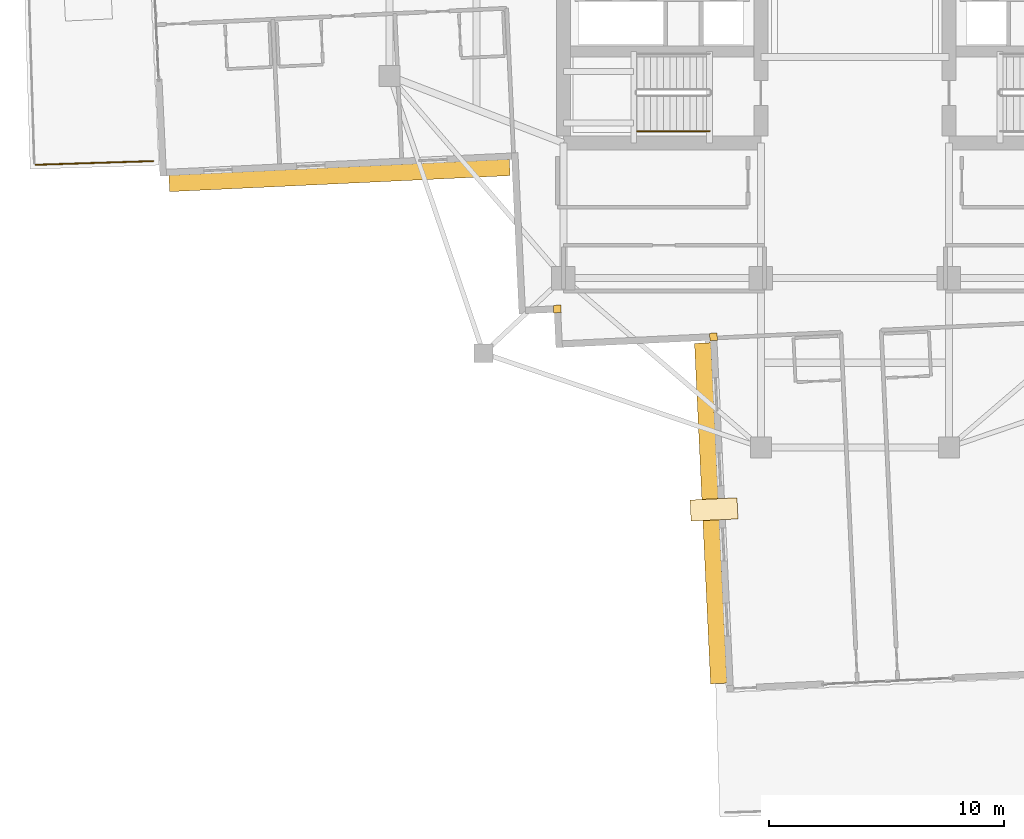
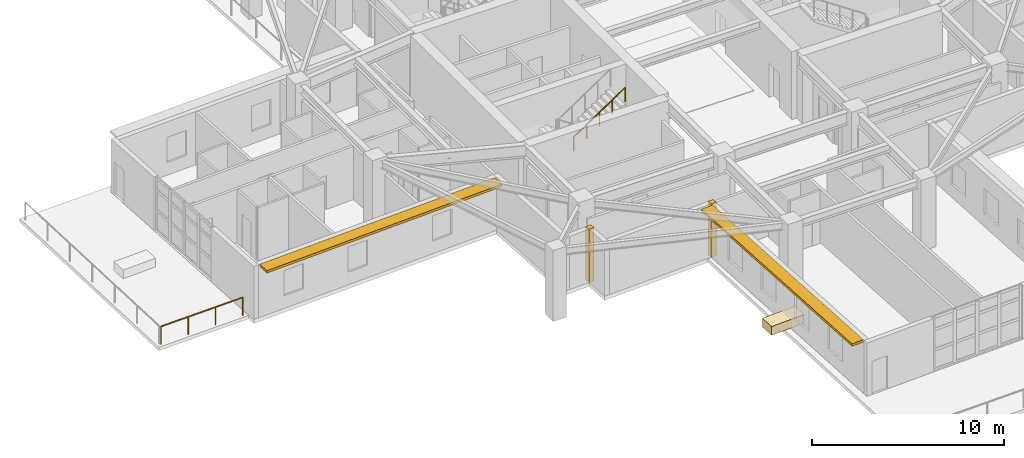
# One storey, part 18 of 22: 3 coverings, 2 railings, 2 shading devices.
"""IFC4 building model written with IfcOpenShell, lengths in metres."""

from ifc_helpers import new_model, si_unit, direction, frame, origin, origin_2d, place, context, subcontext, project, spatial, rectangle, circle, extrude, material, layer, layer_set, type_object, element, save


model = new_model("IFC4")

# Units and contexts
model_context = context("Model", 3, precision=1e-05, world=origin(), true_north=direction((0.0, 1.0)))
body_context = subcontext(model_context, "Body", "Model", "MODEL_VIEW")
ifc_project = project(units=[si_unit("LENGTHUNIT", "METRE"), si_unit("AREAUNIT", "SQUARE_METRE"), si_unit("VOLUMEUNIT", "CUBIC_METRE"), si_unit("PLANEANGLEUNIT", "RADIAN"), si_unit("MASSUNIT", "GRAM", prefix="KILO")], contexts=[model_context])

# Site, building, storey
site_placement = place(None, origin())
site = spatial("IfcSite", under=ifc_project, at=site_placement, CompositionType="ELEMENT")
building_placement = place(site_placement, origin())
building = spatial("IfcBuilding", under=site, at=building_placement, Name="Qingluan Cross Belvedere", CompositionType="ELEMENT")
storey_placement = place(building_placement, frame((0.0, 0.0, 196.800048828125)))
storey = spatial("IfcBuildingStorey", under=building, at=storey_placement, Name="L49", CompositionType="ELEMENT", Elevation=196.800048828125)

# Coverings
ifc_material_1 = material(Name="Precast concrete C45", Category="concrete")
ifc_layer_1 = layer(ifc_material_1, 0.1201171875, Name="ConcreteSpandrelCladding_120")
ifc_layer_set_1 = layer_set([ifc_layer_1], Name="Precast concrete C45")
covering_type_1 = type_object("IfcCoveringType", Name="ConcreteSpandrelCladding_120", PredefinedType="CLADDING", material=ifc_layer_set_1)
for number, where, z_axis, x_axis, name in (
    (1, (-12.65869140625, -13.911865234375, 0.0), (0.0, 0.0, 1.0), (0.998889874962, 0.04710645071, 0.0), "Corner closure L49-SW1"),
    (2, (-6.015380859375, -15.10009765625, 0.0), (0.0, 0.0, 1.0), (0.998889874962, 0.04710645071, 0.0), "Corner closure L49-SW2"),
):
    element("IfcCovering", number, at=place(storey_placement, frame(where, z_axis=z_axis, x_axis=x_axis)), inside=storey, type_object=covering_type_1, Name=name, PredefinedType="CLADDING", context=body_context, shape_type="SweptSolid", body=[
        extrude(rectangle(XDim=0.320068359375, YDim=0.320068359375, at=origin_2d()), origin(), (0.0, 0.0, 1.0), 3.3798828125),
    ])

# Shading devices
ifc_material_2 = material(Name="Precast concrete C45", Category="concrete")
ifc_layer_2 = layer(ifc_material_2, 0.139892578125, Name="ConcreteSunshadeBand_700")
ifc_layer_set_2 = layer_set([ifc_layer_2], Name="Precast concrete C45")
shading_device_type = type_object("IfcShadingDeviceType", Name="ConcreteSunshadeBand_700", PredefinedType="USERDEFINED", material=ifc_layer_set_2)
for number, where, z_axis, x_axis, name in (
    (3, (-21.926513671875, -8.23193359375, 3.2001953125), (0.0, 0.0, 1.0), (0.998889750114, 0.047109098032, 0.0), "Concrete SUNSHADE L49-WB"),
    (4, (-6.132080078125, -22.60400390625, 3.2001953125), (0.0, 0.0, 1.0), (0.047108777928, -0.99888976521, 0.0), "Concrete SUNSHADE L49-SA"),
):
    element("IfcShadingDevice", number, at=place(storey_placement, frame(where, z_axis=z_axis, x_axis=x_axis)), inside=storey, type_object=shading_device_type, Name=name, ObjectType="SUNSHADE", PredefinedType="USERDEFINED", context=body_context, shape_type="SweptSolid", body=[
        extrude(rectangle(XDim=14.5, YDim=0.699951171875, at=origin_2d()), origin(), (0.0, 0.0, 1.0), 0.159912109375),
    ])

# Railings
ifc_material_3 = material(Name="Brushed stainless steel tubular handrail", Category="steel")
railing_type_1 = type_object("IfcRailingType", Name="StairPitchHandrail_900", PredefinedType="HANDRAIL", material=ifc_material_3)
railing_1_placement = place(storey_placement, frame((-9.260009765625, -6.35009765625, 2.4375)))
element("IfcRailing", 5, at=railing_1_placement, inside=storey, type_object=railing_type_1, Name="L49 ST1 stair handrail 2", PredefinedType="HANDRAIL", context=body_context, shape_type="SweptSolid", body=[
    extrude(circle(Radius=0.02392578125, at=origin_2d()), frame((0.0, 0.0, 0.8759765625), z_axis=(0.830913701846, 0.0, 0.55640131208), x_axis=(0.0, 1.0, 0.0)), (0.0, 0.0, 1.0), 3.706787109375),
    extrude(circle(Radius=0.02099609375, at=origin_2d()), origin(), (0.0, 0.0, 1.0), 0.851806640625),
    extrude(circle(Radius=0.02099609375, at=origin_2d()), frame((0.77001953125, 0.0, 0.515625)), (0.0, 0.0, 1.0), 0.851806640625),
    extrude(circle(Radius=0.02099609375, at=origin_2d()), frame((1.5400390625, 0.0, 1.03125)), (0.0, 0.0, 1.0), 0.851806640625),
    extrude(circle(Radius=0.02099609375, at=origin_2d()), frame((2.31005859375, 0.0, 1.546875)), (0.0, 0.0, 1.0), 0.851806640625),
    extrude(circle(Radius=0.02099609375, at=origin_2d()), frame((3.080078125, 0.0, 2.0625)), (0.0, 0.0, 1.0), 0.851806640625),
])
ifc_material_4 = material(Name="Laminated glass and stainless steel balustrade", Category="steel")
railing_type_2 = type_object("IfcRailingType", Name="TerraceGuardBalustrade_1150", PredefinedType="BALUSTRADE", material=ifc_material_4)
railing_2_placement = place(storey_placement, frame((-29.85400390625, -7.62158203125, 0.0)))
element("IfcRailing", 6, at=railing_2_placement, inside=storey, type_object=railing_type_2, Name="Terrace guard L49-2", PredefinedType="BALUSTRADE", context=body_context, shape_type="SweptSolid", body=[
    extrude(circle(Radius=0.02392578125, at=origin_2d()), frame((0.0, 0.0, 1.1259765625), z_axis=(-0.999507254075, -0.031388677137, 0.0), x_axis=(0.031388677137, -0.999507254075, 0.0)), (0.0, 0.0, 1.0), 5.001220703125),
    extrude(circle(Radius=0.02099609375, at=origin_2d()), origin(), (0.0, 0.0, 1.0), 1.101806640625),
    extrude(circle(Radius=0.02099609375, at=origin_2d()), frame((-1.666259765625, -0.05224609375, 0.0)), (0.0, 0.0, 1.0), 1.101806640625),
    extrude(circle(Radius=0.02099609375, at=origin_2d()), frame((-3.33251953125, -0.104736328125, 0.0)), (0.0, 0.0, 1.0), 1.101806640625),
    extrude(circle(Radius=0.02099609375, at=origin_2d()), frame((-4.998779296875, -0.156982421875, 0.0)), (0.0, 0.0, 1.0), 1.101806640625),
])

# Covering
ifc_material_5 = material(Name="Precast concrete C40", Category="concrete")
ifc_layer_3 = layer(ifc_material_5, 0.550048828125, Name="TerracePlanterBox")
ifc_layer_set_3 = layer_set([ifc_layer_3], Name="Precast concrete C40")
covering_type_2 = type_object("IfcCoveringType", Name="TerracePlanterBox", PredefinedType="USERDEFINED", material=ifc_layer_set_3)
covering_placement = place(storey_placement, frame((-5.992919921875, -22.44189453125, 0.0), z_axis=(0.0, 0.0, 1.0), x_axis=(0.998889874962, 0.04710645071, 0.0)))
element("IfcCovering", 7, at=covering_placement, inside=storey, type_object=covering_type_2, Name="Terrace garden planter L49-2", ObjectType="PLANTER", PredefinedType="USERDEFINED", context=body_context, shape_type="SweptSolid", body=[
    extrude(rectangle(XDim=2.0, YDim=0.89990234375, at=origin_2d()), origin(), (0.0, 0.0, 1.0), 0.550048828125),
])

save(model, "model.ifc")
